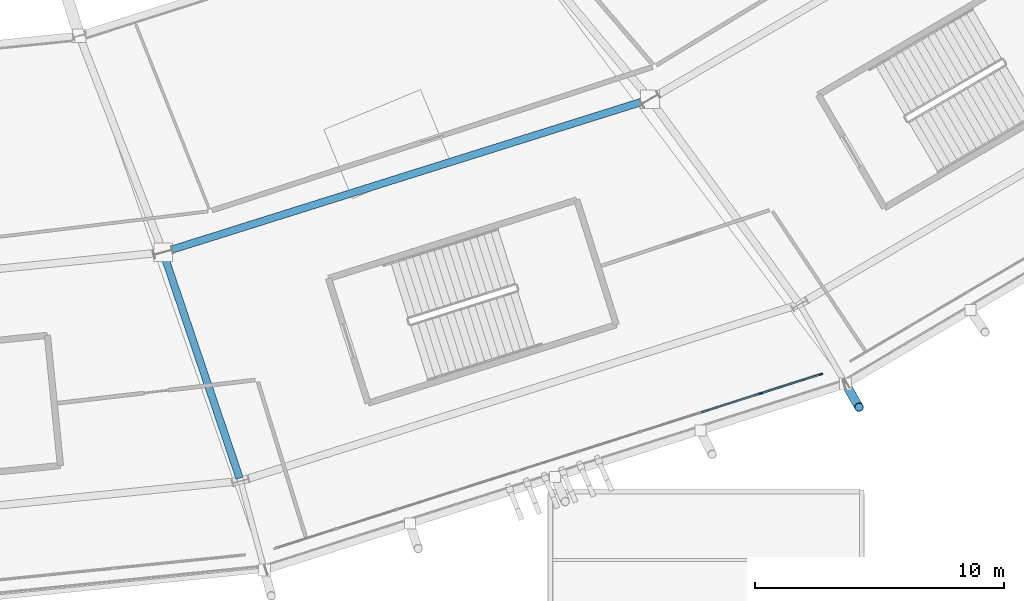
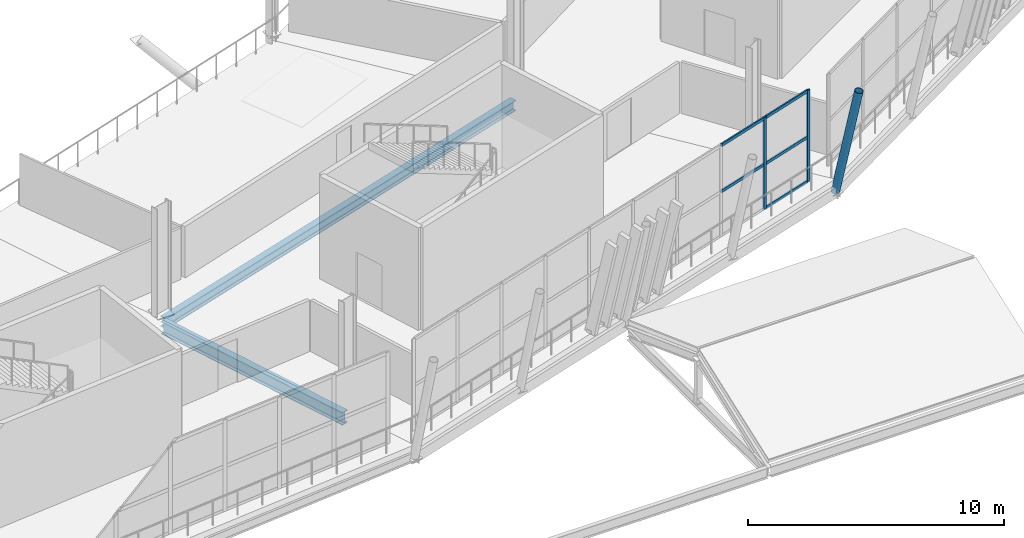
# One storey, part 47 of 168: 8 members, 2 beams, 1 element without a shape of its own.
"""IFC4 building model written with IfcOpenShell, lengths in metres."""

from ifc_helpers import new_model, si_unit, direction, frame, origin, origin_2d, place, context, subcontext, project, spatial, rectangle, hollow_circle, i_section, extrude, material, material_profile, profile_set, type_object, element, aggregate, save


model = new_model("IFC4")

# Units and contexts
model_context = context("Model", 3, precision=1e-05, world=origin(), true_north=direction((0.0, 1.0)))
body_context = subcontext(model_context, "Body", "Model", "MODEL_VIEW")
ifc_project = project(units=[si_unit("LENGTHUNIT", "METRE"), si_unit("AREAUNIT", "SQUARE_METRE"), si_unit("VOLUMEUNIT", "CUBIC_METRE"), si_unit("PLANEANGLEUNIT", "RADIAN"), si_unit("MASSUNIT", "GRAM", prefix="KILO")], contexts=[model_context])

# Site, building, storey
site_placement = place(None, origin())
site = spatial("IfcSite", under=ifc_project, at=site_placement, CompositionType="ELEMENT")
building_placement = place(site_placement, origin())
building = spatial("IfcBuilding", under=site, at=building_placement, Name="Zlatoyarsky Gate Stadium", CompositionType="ELEMENT")
storey_placement = place(building_placement, frame((0.0, 0.0, 15.60009765625)))
storey = spatial("IfcBuildingStorey", under=building, at=storey_placement, Name="L03", CompositionType="ELEMENT", Elevation=15.60009765625)

# Curtain wall, members
ifc_material_1 = material(Name="Thermally broken anodised aluminium curtain wall", Category="aluminium")
curtain_wall_type = type_object("IfcCurtainWallType", Name="UNITISED CORPORATE BOX GLAZING L03", PredefinedType="USERDEFINED", material=ifc_material_1)
curtain_wall_placement = place(storey_placement, origin())
curtain_wall = element("IfcCurtainWall", 1, at=curtain_wall_placement, inside=storey, type_object=curtain_wall_type, Name="Curtain wall CW-L03-19", ObjectType="UNITISED GLAZING", PredefinedType="USERDEFINED")
ifc_material_2 = material(Name="Anodised aluminium 6063-T6", Category="aluminium")
ifc_material_profile_1 = material_profile(ifc_material_2, rectangle(XDim=0.06494140625, YDim=0.159912109375, at=origin_2d()), Name="ALU 65X160")
ifc_profile_set_1 = profile_set([ifc_material_profile_1], Name="Anodised aluminium 6063-T6")
member_type_1 = type_object("IfcMemberType", Name="ALUMINIUM MULLION 65X160", PredefinedType="MULLION", material=ifc_profile_set_1)
member_1_placement = place(storey_placement, frame((155.94677734375, 14.93701171875, 0.0), z_axis=(0.0, 0.0, 1.0), x_axis=(-0.304162129597, 0.952620280552, 0.0)))
member_1 = element("IfcMember", 2, at=member_1_placement, type_object=member_type_1, Name="CW-UG3 mullion 9", PredefinedType="MULLION", context=body_context, shape_type="SweptSolid", body=[
    extrude(rectangle(XDim=0.06494140625, YDim=0.159912109375, at=origin_2d()), origin(), (0.0, 0.0, 1.0), 4.3798828125),
])
member_2_placement = place(storey_placement, frame((158.350830078125, 15.70458984375, 0.0), z_axis=(0.0, 0.0, 1.0), x_axis=(-0.304162129597, 0.952620280552, 0.0)))
member_2 = element("IfcMember", 3, at=member_2_placement, type_object=member_type_1, Name="CW-UG3 mullion 10", PredefinedType="MULLION", context=body_context, shape_type="SweptSolid", body=[
    extrude(rectangle(XDim=0.06494140625, YDim=0.159912109375, at=origin_2d()), origin(), (0.0, 0.0, 1.0), 4.3798828125),
])
ifc_material_profile_2 = material_profile(ifc_material_2, rectangle(XDim=0.06494140625, YDim=0.139892578125, at=origin_2d()), Name="ALU 65X140")
ifc_profile_set_2 = profile_set([ifc_material_profile_2], Name="Anodised aluminium 6063-T6")
member_type_2 = type_object("IfcMemberType", Name="ALUMINIUM TRANSOM 65X140", PredefinedType="USERDEFINED", material=ifc_profile_set_2)
member_3_placement = place(storey_placement, frame((153.542724609375, 14.16943359375, 2.14990234375), z_axis=(0.95260604701, 0.304206704724, 0.0), x_axis=(-0.304206704724, 0.95260604701, 0.0)))
member_3 = element("IfcMember", 4, at=member_3_placement, type_object=member_type_2, Name="CW-UG3 transom 8.2", ObjectType="TRANSOM", PredefinedType="USERDEFINED", context=body_context, shape_type="SweptSolid", body=[
    extrude(rectangle(XDim=0.06494140625, YDim=0.139892578125, at=origin_2d()), origin(), (0.0, 0.0, 1.0), 2.4912109375),
])
member_4_placement = place(storey_placement, frame((153.542724609375, 14.16943359375, 4.347412109375), z_axis=(0.95260604701, 0.304206704724, 0.0), x_axis=(-0.304206704724, 0.95260604701, 0.0)))
member_4 = element("IfcMember", 5, at=member_4_placement, type_object=member_type_2, Name="CW-UG3 transom 8.3", ObjectType="TRANSOM", PredefinedType="USERDEFINED", context=body_context, shape_type="SweptSolid", body=[
    extrude(rectangle(XDim=0.06494140625, YDim=0.139892578125, at=origin_2d()), origin(), (0.0, 0.0, 1.0), 2.4912109375),
])
member_5_placement = place(storey_placement, frame((155.977783203125, 14.94677734375, 0.032470703125), z_axis=(0.952599226387, 0.304228062294, 0.0), x_axis=(-0.304228062294, 0.952599226387, 0.0)))
member_5 = element("IfcMember", 6, at=member_5_placement, type_object=member_type_2, Name="CW-UG3 transom 9.1", ObjectType="TRANSOM", PredefinedType="USERDEFINED", context=body_context, shape_type="SweptSolid", body=[
    extrude(rectangle(XDim=0.06494140625, YDim=0.139892578125, at=origin_2d()), origin(), (0.0, 0.0, 1.0), 2.458740234375),
])
member_6_placement = place(storey_placement, frame((155.977783203125, 14.94677734375, 2.14990234375), z_axis=(0.952599226387, 0.304228062294, 0.0), x_axis=(-0.304228062294, 0.952599226387, 0.0)))
member_6 = element("IfcMember", 7, at=member_6_placement, type_object=member_type_2, Name="CW-UG3 transom 9.2", ObjectType="TRANSOM", PredefinedType="USERDEFINED", context=body_context, shape_type="SweptSolid", body=[
    extrude(rectangle(XDim=0.06494140625, YDim=0.139892578125, at=origin_2d()), origin(), (0.0, 0.0, 1.0), 2.458740234375),
])
member_7_placement = place(storey_placement, frame((155.977783203125, 14.94677734375, 4.347412109375), z_axis=(0.952599226387, 0.304228062294, 0.0), x_axis=(-0.304228062294, 0.952599226387, 0.0)))
member_7 = element("IfcMember", 8, at=member_7_placement, type_object=member_type_2, Name="CW-UG3 transom 9.3", ObjectType="TRANSOM", PredefinedType="USERDEFINED", context=body_context, shape_type="SweptSolid", body=[
    extrude(rectangle(XDim=0.06494140625, YDim=0.139892578125, at=origin_2d()), origin(), (0.0, 0.0, 1.0), 2.458740234375),
])
aggregate(curtain_wall, [member_1, member_2, member_3, member_4, member_5, member_6, member_7])

# Member
ifc_material_3 = material(Name="Steel S355", Category="steel")
ifc_material_profile_3 = material_profile(ifc_material_3, hollow_circle(Radius=0.177734375, WallThickness=0.02001953125, at=origin_2d()), Name="CHS 355.6X20")
ifc_profile_set_3 = profile_set([ifc_material_profile_3], Name="Steel S355")
member_type_3 = type_object("IfcMemberType", Name="STEEL LEANING RIB RING STRUT CHS 355.6X20", PredefinedType="STRUT", material=ifc_profile_set_3)
member_8_placement = place(storey_placement, frame((159.35107421875, 15.305908203125, -0.580078125), z_axis=(0.100910684317, -0.174770288575, 0.979424514714), x_axis=(0.866010359988, 0.500026055714, 0.0)))
element("IfcMember", 9, at=member_8_placement, inside=storey, type_object=member_type_3, Name="Leaning ring strut 20 L03 to L04", PredefinedType="STRUT", context=body_context, shape_type="SweptSolid", body=[
    extrude(hollow_circle(Radius=0.177734375, WallThickness=0.02001953125, at=origin_2d()), origin(), (0.0, 0.0, 1.0), 5.288818359375),
])

# Beams
ifc_material_profile_4 = material_profile(ifc_material_3, i_section(OverallWidth=0.300048828125, OverallDepth=0.5, WebThickness=0.014404296875, FlangeThickness=0.028076171875, FilletRadius=0.027099609375, at=origin_2d()), Name="HEB 500")
ifc_profile_set_4 = profile_set([ifc_material_profile_4], Name="Steel S355")
beam_type_1 = type_object("IfcBeamType", Name="STEEL PRIMARY GIRDER HEB 500", PredefinedType="BEAM", material=ifc_profile_set_4)
beam_1_placement = place(storey_placement, frame((132.078857421875, 20.631591796875, -0.530029296875), z_axis=(0.953937507984, 0.300005384719, 0.0), x_axis=(-0.300005384719, 0.953937507984, 0.0)))
element("IfcBeam", 10, at=beam_1_placement, inside=storey, type_object=beam_type_1, Name="Beam G-HEB500 BM-L03-CRB-19", PredefinedType="BEAM", context=body_context, shape_type="SweptSolid", body=[
    extrude(i_section(OverallWidth=0.300048828125, OverallDepth=0.5, WebThickness=0.014404296875, FlangeThickness=0.028076171875, FilletRadius=0.027099609375, at=origin_2d()), origin(), (0.0, 0.0, 1.0), 20.239013671875),
])
ifc_material_profile_5 = material_profile(ifc_material_3, i_section(OverallWidth=0.300048828125, OverallDepth=0.60009765625, WebThickness=0.015380859375, FlangeThickness=0.030029296875, FilletRadius=0.027099609375, at=origin_2d()), Name="HEB 600")
ifc_profile_set_5 = profile_set([ifc_material_profile_5], Name="Steel S355")
beam_type_2 = type_object("IfcBeamType", Name="STEEL PRIMARY GIRDER HEB 600", PredefinedType="BEAM", material=ifc_profile_set_5)
beam_2_placement = place(storey_placement, frame((132.002685546875, 20.48193359375, -0.580078125), z_axis=(0.320612225581, -0.947210536686, 0.0), x_axis=(0.947210536686, 0.320612225581, 0.0)))
element("IfcBeam", 11, at=beam_2_placement, inside=storey, type_object=beam_type_2, Name="Beam G-HEB600 BM-L03-RBC-19", PredefinedType="BEAM", context=body_context, shape_type="SweptSolid", body=[
    extrude(i_section(OverallWidth=0.300048828125, OverallDepth=0.60009765625, WebThickness=0.015380859375, FlangeThickness=0.030029296875, FilletRadius=0.027099609375, at=origin_2d()), origin(), (0.0, 0.0, 1.0), 9.44775390625),
])

save(model, "model.ifc")
